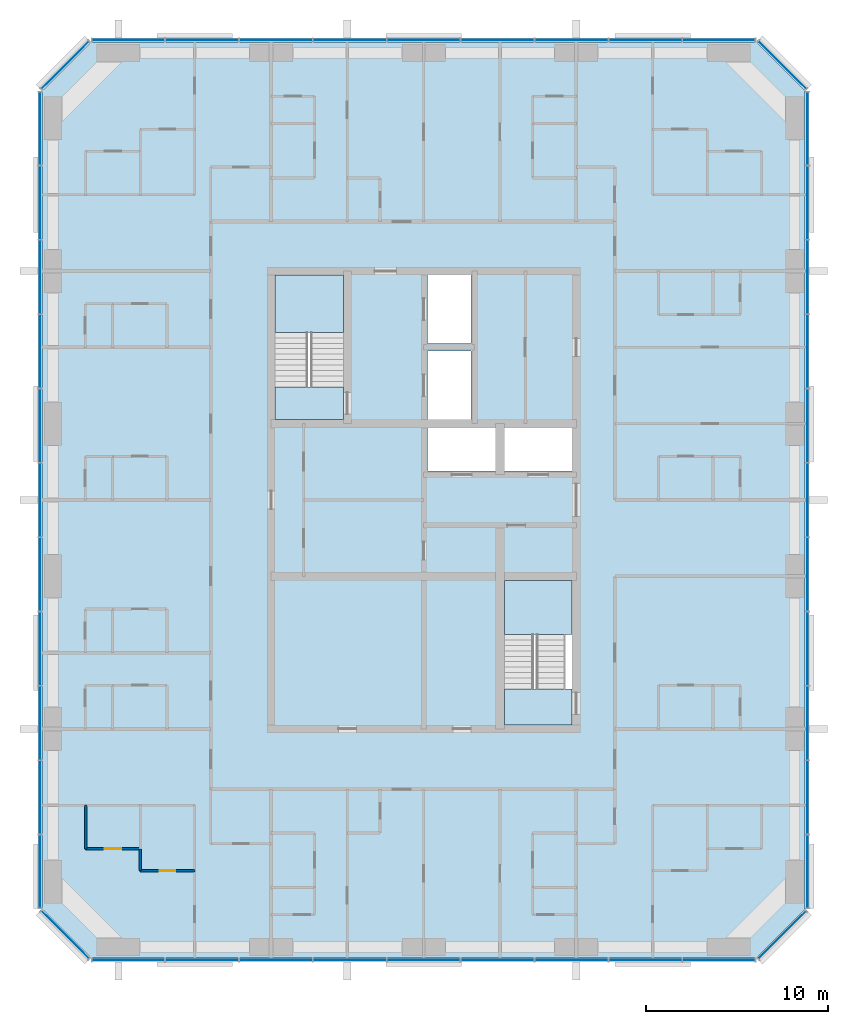
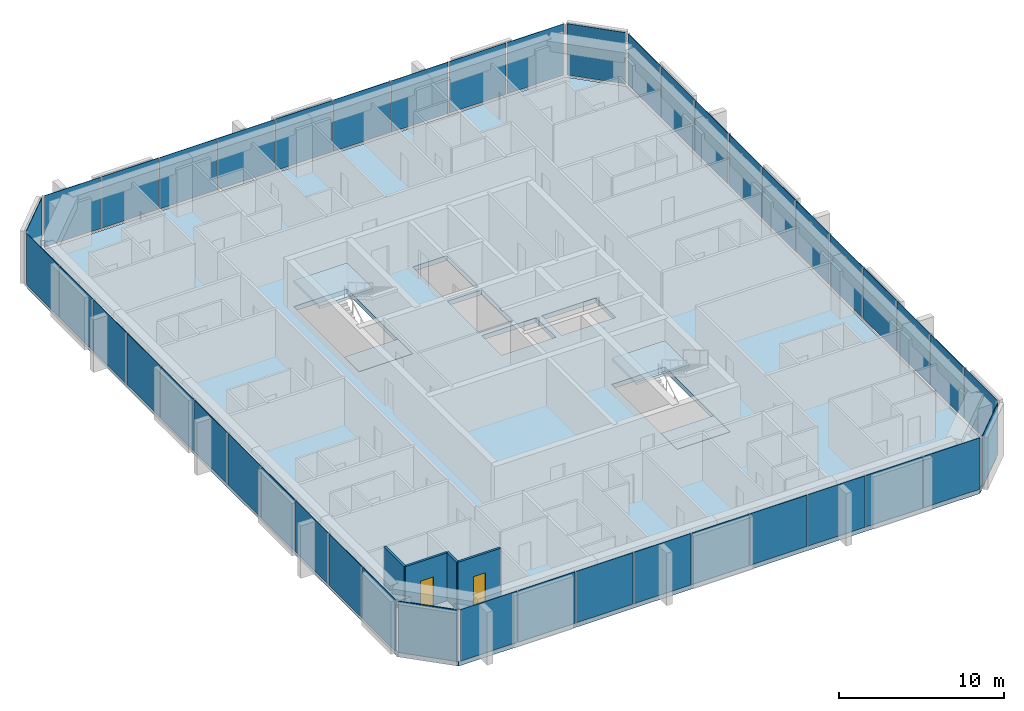
# One storey, part 6 of 13: 44 plates, 5 slabs, 4 walls, 2 doors, 2 openings, 10 elements without a shape of their own.
"""IFC4 building model written with IfcOpenShell, lengths in metres."""

from ifc_helpers import new_model, si_unit, direction, frame, frame_2d, origin, origin_2d, place, context, subcontext, project, spatial, polyline, rectangle, outline, extrude, material, layer, layer_set, type_object, element, fill, aggregate, save


model = new_model("IFC4")

# Units and contexts
model_context = context("Model", 3, precision=1e-05, world=origin(), true_north=direction((0.0, 1.0)))
body_context = subcontext(model_context, "Body", "Model", "MODEL_VIEW")
ifc_project = project(units=[si_unit("LENGTHUNIT", "METRE"), si_unit("AREAUNIT", "SQUARE_METRE"), si_unit("VOLUMEUNIT", "CUBIC_METRE"), si_unit("PLANEANGLEUNIT", "RADIAN"), si_unit("MASSUNIT", "GRAM", prefix="KILO")], contexts=[model_context])

# Site, building, storey
site_placement = place(None, origin())
site = spatial("IfcSite", under=ifc_project, at=site_placement, CompositionType="ELEMENT")
building_placement = place(site_placement, origin())
building = spatial("IfcBuilding", under=site, at=building_placement, Name="Dunama Terrace Hotel", CompositionType="ELEMENT")
storey_placement = place(building_placement, frame((0.0, 0.0, 276.300048828125)))
storey = spatial("IfcBuildingStorey", under=building, at=storey_placement, Name="L71", CompositionType="ELEMENT", Elevation=276.300048828125)

# Curtain wall, plates
ifc_material_1 = material(Name="Aluminium curtain wall system", Category="aluminium")
curtain_wall_type = type_object("IfcCurtainWallType", Name="Unitised fritted glass wall CW-D", PredefinedType="NOTDEFINED", material=ifc_material_1)
curtain_wall_1_placement = place(storey_placement, origin())
curtain_wall_1 = element("IfcCurtainWall", 1, at=curtain_wall_1_placement, inside=storey, type_object=curtain_wall_type, Name="Unitised fritted glass wall CW-D L71", PredefinedType="NOTDEFINED")
ifc_material_2 = material(Name="Laminated glass", Category="glass")
ifc_layer_1 = layer(ifc_material_2, 0.035888671875)
ifc_layer_set_1 = layer_set([ifc_layer_1], Name="CWD clear glass panel")
plate_type_1 = type_object("IfcPlateType", Name="CWD clear glass panel", PredefinedType="CURTAIN_PANEL", material=ifc_layer_set_1)
plate_1_placement = place(storey_placement, frame((25.467041015625, 4.080078125, 0.0849609375), z_axis=(0.0, 0.0, 1.0), x_axis=(1.0, 0.0, 0.0)))
plate_1 = element("IfcPlate", 2, at=plate_1_placement, type_object=plate_type_1, Name="CWD clear glass panel", PredefinedType="CURTAIN_PANEL", context=body_context, shape_type="SweptSolid", body=[
    extrude(rectangle(XDim=3.99658203125, YDim=0.035888671875, at=origin_2d()), origin(), (0.0, 0.0, 1.0), 3.81494140625),
])
plate_2_placement = place(storey_placement, frame((37.6669921875, 4.080078125, 0.0849609375), z_axis=(0.0, 0.0, 1.0), x_axis=(1.0, 0.0, 0.0)))
plate_2 = element("IfcPlate", 3, at=plate_2_placement, type_object=plate_type_1, Name="CWD clear glass panel", PredefinedType="CURTAIN_PANEL", context=body_context, shape_type="SweptSolid", body=[
    extrude(rectangle(XDim=3.99658203125, YDim=0.035888671875, at=origin_2d()), origin(), (0.0, 0.0, 1.0), 3.81494140625),
])
plate_3_placement = place(storey_placement, frame((49.84912109375, 4.080078125, 0.0849609375), z_axis=(0.0, 0.0, 1.0), x_axis=(1.0, 0.0, 0.0)))
plate_3 = element("IfcPlate", 4, at=plate_3_placement, type_object=plate_type_1, Name="CWD clear glass panel", PredefinedType="CURTAIN_PANEL", context=body_context, shape_type="SweptSolid", body=[
    extrude(rectangle(XDim=3.961669921875, YDim=0.035888671875, at=origin_2d()), origin(), (0.0, 0.0, 1.0), 3.81494140625),
])

curtain_wall_2_placement = place(storey_placement, origin())
curtain_wall_2 = element("IfcCurtainWall", 5, at=curtain_wall_2_placement, inside=storey, type_object=curtain_wall_type, Name="Unitised fritted glass wall CW-D L71", PredefinedType="NOTDEFINED")
plate_4_placement = place(storey_placement, frame((54.719970703125, 13.035888671875, 0.0849609375), z_axis=(0.0, 0.0, 1.0), x_axis=(0.0, 1.0, 0.0)))
plate_4 = element("IfcPlate", 6, at=plate_4_placement, type_object=plate_type_1, Name="CWD clear glass panel", PredefinedType="CURTAIN_PANEL", context=body_context, shape_type="SweptSolid", body=[
    extrude(rectangle(XDim=4.02099609375, YDim=0.035888671875, at=origin_2d()), origin(), (0.0, 0.0, 1.0), 3.81494140625),
])
plate_5_placement = place(storey_placement, frame((54.719970703125, 25.30908203125, 0.0849609375), z_axis=(0.0, 0.0, 1.0), x_axis=(0.0, 1.0, 0.0)))
plate_5 = element("IfcPlate", 7, at=plate_5_placement, type_object=plate_type_1, Name="CWD clear glass panel", PredefinedType="CURTAIN_PANEL", context=body_context, shape_type="SweptSolid", body=[
    extrude(rectangle(XDim=4.02099609375, YDim=0.035888671875, at=origin_2d()), origin(), (0.0, 0.0, 1.0), 3.81494140625),
])
plate_6_placement = place(storey_placement, frame((54.719970703125, 37.58203125, 0.0849609375), z_axis=(0.0, 0.0, 1.0), x_axis=(0.0, 1.0, 0.0)))
plate_6 = element("IfcPlate", 8, at=plate_6_placement, type_object=plate_type_1, Name="CWD clear glass panel", PredefinedType="CURTAIN_PANEL", context=body_context, shape_type="SweptSolid", body=[
    extrude(rectangle(XDim=4.02099609375, YDim=0.035888671875, at=origin_2d()), origin(), (0.0, 0.0, 1.0), 3.81494140625),
])
plate_7_placement = place(storey_placement, frame((54.719970703125, 49.8369140625, 0.0849609375), z_axis=(0.0, 0.0, 1.0), x_axis=(0.0, 1.0, 0.0)))
plate_7 = element("IfcPlate", 9, at=plate_7_placement, type_object=plate_type_1, Name="CWD clear glass panel", PredefinedType="CURTAIN_PANEL", context=body_context, shape_type="SweptSolid", body=[
    extrude(rectangle(XDim=3.98583984375, YDim=0.035888671875, at=origin_2d()), origin(), (0.0, 0.0, 1.0), 3.81494140625),
])

curtain_wall_3_placement = place(storey_placement, origin())
curtain_wall_3 = element("IfcCurtainWall", 10, at=curtain_wall_3_placement, inside=storey, type_object=curtain_wall_type, Name="Unitised fritted glass wall CW-D L71", PredefinedType="NOTDEFINED")
plate_8_placement = place(storey_placement, frame((45.800048828125, 54.719970703125, 0.0849609375), z_axis=(0.0, 0.0, 1.0), x_axis=(-1.0, 0.0, 0.0)))
plate_8 = element("IfcPlate", 11, at=plate_8_placement, type_object=plate_type_1, Name="CWD clear glass panel", PredefinedType="CURTAIN_PANEL", context=body_context, shape_type="SweptSolid", body=[
    extrude(rectangle(XDim=3.99658203125, YDim=0.035888671875, at=origin_2d()), origin(), (0.0, 0.0, 1.0), 3.81494140625),
])
plate_9_placement = place(storey_placement, frame((33.60009765625, 54.719970703125, 0.0849609375), z_axis=(0.0, 0.0, 1.0), x_axis=(-1.0, 0.0, 0.0)))
plate_9 = element("IfcPlate", 12, at=plate_9_placement, type_object=plate_type_1, Name="CWD clear glass panel", PredefinedType="CURTAIN_PANEL", context=body_context, shape_type="SweptSolid", body=[
    extrude(rectangle(XDim=3.99658203125, YDim=0.035888671875, at=origin_2d()), origin(), (0.0, 0.0, 1.0), 3.81494140625),
])
plate_10_placement = place(storey_placement, frame((21.39990234375, 54.719970703125, 0.0849609375), z_axis=(0.0, 0.0, 1.0), x_axis=(-1.0, 0.0, 0.0)))
plate_10 = element("IfcPlate", 13, at=plate_10_placement, type_object=plate_type_1, Name="CWD clear glass panel", PredefinedType="CURTAIN_PANEL", context=body_context, shape_type="SweptSolid", body=[
    extrude(rectangle(XDim=3.99658203125, YDim=0.035888671875, at=origin_2d()), origin(), (0.0, 0.0, 1.0), 3.81494140625),
])

curtain_wall_4_placement = place(storey_placement, origin())
curtain_wall_4 = element("IfcCurtainWall", 14, at=curtain_wall_4_placement, inside=storey, type_object=curtain_wall_type, Name="Unitised fritted glass wall CW-D L71", PredefinedType="NOTDEFINED")
plate_11_placement = place(storey_placement, frame((12.47998046875, 49.8369140625, 0.0849609375), z_axis=(0.0, 0.0, 1.0), x_axis=(0.0, -1.0, 0.0)))
plate_11 = element("IfcPlate", 15, at=plate_11_placement, type_object=plate_type_1, Name="CWD clear glass panel", PredefinedType="CURTAIN_PANEL", context=body_context, shape_type="SweptSolid", body=[
    extrude(rectangle(XDim=3.98583984375, YDim=0.035888671875, at=origin_2d()), origin(), (0.0, 0.0, 1.0), 3.81494140625),
])
plate_12_placement = place(storey_placement, frame((12.47998046875, 37.58203125, 0.0849609375), z_axis=(0.0, 0.0, 1.0), x_axis=(0.0, -1.0, 0.0)))
plate_12 = element("IfcPlate", 16, at=plate_12_placement, type_object=plate_type_1, Name="CWD clear glass panel", PredefinedType="CURTAIN_PANEL", context=body_context, shape_type="SweptSolid", body=[
    extrude(rectangle(XDim=4.02099609375, YDim=0.035888671875, at=origin_2d()), origin(), (0.0, 0.0, 1.0), 3.81494140625),
])
plate_13_placement = place(storey_placement, frame((12.47998046875, 25.30908203125, 0.0849609375), z_axis=(0.0, 0.0, 1.0), x_axis=(0.0, -1.0, 0.0)))
plate_13 = element("IfcPlate", 17, at=plate_13_placement, type_object=plate_type_1, Name="CWD clear glass panel", PredefinedType="CURTAIN_PANEL", context=body_context, shape_type="SweptSolid", body=[
    extrude(rectangle(XDim=4.02099609375, YDim=0.035888671875, at=origin_2d()), origin(), (0.0, 0.0, 1.0), 3.81494140625),
])
plate_14_placement = place(storey_placement, frame((12.47998046875, 13.035888671875, 0.0849609375), z_axis=(0.0, 0.0, 1.0), x_axis=(0.0, -1.0, 0.0)))
plate_14 = element("IfcPlate", 18, at=plate_14_placement, type_object=plate_type_1, Name="CWD clear glass panel", PredefinedType="CURTAIN_PANEL", context=body_context, shape_type="SweptSolid", body=[
    extrude(rectangle(XDim=4.02099609375, YDim=0.035888671875, at=origin_2d()), origin(), (0.0, 0.0, 1.0), 3.81494140625),
])

# Plate
ifc_material_3 = material(Name="Fritted laminated glass", Category="glass")
ifc_layer_2 = layer(ifc_material_3, 0.035888671875)
ifc_layer_set_2 = layer_set([ifc_layer_2], Name="CWD fritted glass panel")
plate_type_2 = type_object("IfcPlateType", Name="CWD fritted glass panel", PredefinedType="CURTAIN_PANEL", material=ifc_layer_set_2)
plate_15_placement = place(storey_placement, frame((21.39990234375, 4.080078125, 0.0849609375), z_axis=(0.0, 0.0, 1.0), x_axis=(1.0, 0.0, 0.0)))
plate_15 = element("IfcPlate", 19, at=plate_15_placement, type_object=plate_type_2, Name="CWD fritted glass panel", PredefinedType="CURTAIN_PANEL", context=body_context, shape_type="SweptSolid", body=[
    extrude(rectangle(XDim=3.99658203125, YDim=0.035888671875, at=origin_2d()), origin(), (0.0, 0.0, 1.0), 3.81494140625),
])

plate_16_placement = place(storey_placement, frame((33.60009765625, 4.080078125, 0.0849609375), z_axis=(0.0, 0.0, 1.0), x_axis=(1.0, 0.0, 0.0)))
plate_16 = element("IfcPlate", 20, at=plate_16_placement, type_object=plate_type_2, Name="CWD fritted glass panel", PredefinedType="CURTAIN_PANEL", context=body_context, shape_type="SweptSolid", body=[
    extrude(rectangle(XDim=3.99658203125, YDim=0.035888671875, at=origin_2d()), origin(), (0.0, 0.0, 1.0), 3.81494140625),
])

plate_17_placement = place(storey_placement, frame((45.800048828125, 4.080078125, 0.0849609375), z_axis=(0.0, 0.0, 1.0), x_axis=(1.0, 0.0, 0.0)))
plate_17 = element("IfcPlate", 21, at=plate_17_placement, type_object=plate_type_2, Name="CWD fritted glass panel", PredefinedType="CURTAIN_PANEL", context=body_context, shape_type="SweptSolid", body=[
    extrude(rectangle(XDim=3.99658203125, YDim=0.035888671875, at=origin_2d()), origin(), (0.0, 0.0, 1.0), 3.81494140625),
])

plate_18_placement = place(storey_placement, frame((54.719970703125, 8.962890625, 0.0849609375), z_axis=(0.0, 0.0, 1.0), x_axis=(0.0, 1.0, 0.0)))
plate_18 = element("IfcPlate", 22, at=plate_18_placement, type_object=plate_type_2, Name="CWD fritted glass panel", PredefinedType="CURTAIN_PANEL", context=body_context, shape_type="SweptSolid", body=[
    extrude(rectangle(XDim=3.98583984375, YDim=0.035888671875, at=origin_2d()), origin(), (0.0, 0.0, 1.0), 3.81494140625),
])

plate_19_placement = place(storey_placement, frame((54.719970703125, 21.218017578125, 0.0849609375), z_axis=(0.0, 0.0, 1.0), x_axis=(0.0, 1.0, 0.0)))
plate_19 = element("IfcPlate", 23, at=plate_19_placement, type_object=plate_type_2, Name="CWD fritted glass panel", PredefinedType="CURTAIN_PANEL", context=body_context, shape_type="SweptSolid", body=[
    extrude(rectangle(XDim=4.02099609375, YDim=0.035888671875, at=origin_2d()), origin(), (0.0, 0.0, 1.0), 3.81494140625),
])

plate_20_placement = place(storey_placement, frame((54.719970703125, 33.490966796875, 0.0849609375), z_axis=(0.0, 0.0, 1.0), x_axis=(0.0, 1.0, 0.0)))
plate_20 = element("IfcPlate", 24, at=plate_20_placement, type_object=plate_type_2, Name="CWD fritted glass panel", PredefinedType="CURTAIN_PANEL", context=body_context, shape_type="SweptSolid", body=[
    extrude(rectangle(XDim=4.02099609375, YDim=0.035888671875, at=origin_2d()), origin(), (0.0, 0.0, 1.0), 3.81494140625),
])

plate_21_placement = place(storey_placement, frame((54.719970703125, 45.763916015625, 0.0849609375), z_axis=(0.0, 0.0, 1.0), x_axis=(0.0, 1.0, 0.0)))
plate_21 = element("IfcPlate", 25, at=plate_21_placement, type_object=plate_type_2, Name="CWD fritted glass panel", PredefinedType="CURTAIN_PANEL", context=body_context, shape_type="SweptSolid", body=[
    extrude(rectangle(XDim=4.02099609375, YDim=0.035888671875, at=origin_2d()), origin(), (0.0, 0.0, 1.0), 3.81494140625),
])

plate_22_placement = place(storey_placement, frame((49.84912109375, 54.719970703125, 0.0849609375), z_axis=(0.0, 0.0, 1.0), x_axis=(-1.0, 0.0, 0.0)))
plate_22 = element("IfcPlate", 26, at=plate_22_placement, type_object=plate_type_2, Name="CWD fritted glass panel", PredefinedType="CURTAIN_PANEL", context=body_context, shape_type="SweptSolid", body=[
    extrude(rectangle(XDim=3.961669921875, YDim=0.035888671875, at=origin_2d()), origin(), (0.0, 0.0, 1.0), 3.81494140625),
])

plate_23_placement = place(storey_placement, frame((37.6669921875, 54.719970703125, 0.0849609375), z_axis=(0.0, 0.0, 1.0), x_axis=(-1.0, 0.0, 0.0)))
plate_23 = element("IfcPlate", 27, at=plate_23_placement, type_object=plate_type_2, Name="CWD fritted glass panel", PredefinedType="CURTAIN_PANEL", context=body_context, shape_type="SweptSolid", body=[
    extrude(rectangle(XDim=3.99658203125, YDim=0.035888671875, at=origin_2d()), origin(), (0.0, 0.0, 1.0), 3.81494140625),
])

plate_24_placement = place(storey_placement, frame((25.467041015625, 54.719970703125, 0.0849609375), z_axis=(0.0, 0.0, 1.0), x_axis=(-1.0, 0.0, 0.0)))
plate_24 = element("IfcPlate", 28, at=plate_24_placement, type_object=plate_type_2, Name="CWD fritted glass panel", PredefinedType="CURTAIN_PANEL", context=body_context, shape_type="SweptSolid", body=[
    extrude(rectangle(XDim=3.99658203125, YDim=0.035888671875, at=origin_2d()), origin(), (0.0, 0.0, 1.0), 3.81494140625),
])

# Curtain wall, plate
curtain_wall_5_placement = place(storey_placement, origin())
curtain_wall_5 = element("IfcCurtainWall", 29, at=curtain_wall_5_placement, inside=storey, type_object=curtain_wall_type, Name="Unitised fritted glass wall CW-D L71", PredefinedType="NOTDEFINED")
plate_25_placement = place(storey_placement, frame((13.864990234375, 53.3349609375, 0.0849609375), z_axis=(0.0, 0.0, 1.0), x_axis=(-0.707106781187, -0.707106781187, 0.0)))
plate_25 = element("IfcPlate", 30, at=plate_25_placement, type_object=plate_type_2, Name="CWD fritted glass panel", PredefinedType="CURTAIN_PANEL", context=body_context, shape_type="SweptSolid", body=[
    extrude(rectangle(XDim=3.678466796875, YDim=0.035888671875, at=origin_2d()), origin(), (0.0, 0.0, 1.0), 3.81494140625),
])
aggregate(curtain_wall_5, [plate_25])

# Plate
plate_26_placement = place(storey_placement, frame((12.47998046875, 41.673095703125, 0.0849609375), z_axis=(0.0, 0.0, 1.0), x_axis=(0.0, -1.0, 0.0)))
plate_26 = element("IfcPlate", 31, at=plate_26_placement, type_object=plate_type_2, Name="CWD fritted glass panel", PredefinedType="CURTAIN_PANEL", context=body_context, shape_type="SweptSolid", body=[
    extrude(rectangle(XDim=4.02099609375, YDim=0.035888671875, at=origin_2d()), origin(), (0.0, 0.0, 1.0), 3.81494140625),
])

plate_27_placement = place(storey_placement, frame((12.47998046875, 29.39990234375, 0.0849609375), z_axis=(0.0, 0.0, 1.0), x_axis=(0.0, -1.0, 0.0)))
plate_27 = element("IfcPlate", 32, at=plate_27_placement, type_object=plate_type_2, Name="CWD fritted glass panel", PredefinedType="CURTAIN_PANEL", context=body_context, shape_type="SweptSolid", body=[
    extrude(rectangle(XDim=4.02099609375, YDim=0.035888671875, at=origin_2d()), origin(), (0.0, 0.0, 1.0), 3.81494140625),
])

plate_28_placement = place(storey_placement, frame((12.47998046875, 17.126953125, 0.0849609375), z_axis=(0.0, 0.0, 1.0), x_axis=(0.0, -1.0, 0.0)))
plate_28 = element("IfcPlate", 33, at=plate_28_placement, type_object=plate_type_2, Name="CWD fritted glass panel", PredefinedType="CURTAIN_PANEL", context=body_context, shape_type="SweptSolid", body=[
    extrude(rectangle(XDim=4.02099609375, YDim=0.035888671875, at=origin_2d()), origin(), (0.0, 0.0, 1.0), 3.81494140625),
])

# Curtain wall, plate
curtain_wall_6_placement = place(storey_placement, origin())
curtain_wall_6 = element("IfcCurtainWall", 34, at=curtain_wall_6_placement, inside=storey, type_object=curtain_wall_type, Name="Unitised fritted glass wall CW-D L71", PredefinedType="NOTDEFINED")
plate_29_placement = place(storey_placement, frame((13.864990234375, 5.465087890625, 0.0849609375), z_axis=(0.0, 0.0, 1.0), x_axis=(0.707106781187, -0.707106781187, 0.0)))
plate_29 = element("IfcPlate", 35, at=plate_29_placement, type_object=plate_type_2, Name="CWD fritted glass panel", PredefinedType="CURTAIN_PANEL", context=body_context, shape_type="SweptSolid", body=[
    extrude(rectangle(XDim=3.678466796875, YDim=0.035888671875, at=origin_2d()), origin(), (0.0, 0.0, 1.0), 3.81494140625),
])
aggregate(curtain_wall_6, [plate_29])

# Plate
ifc_material_4 = material(Name="Laminated glass", Category="glass")
ifc_layer_3 = layer(ifc_material_4, 0.035888671875)
ifc_layer_set_3 = layer_set([ifc_layer_3], Name="CWD operable glass panel")
plate_type_3 = type_object("IfcPlateType", Name="CWD operable glass panel", PredefinedType="CURTAIN_PANEL", material=ifc_layer_set_3)
plate_30_placement = place(storey_placement, frame((17.35107421875, 4.080078125, 0.0849609375), z_axis=(0.0, 0.0, 1.0), x_axis=(1.0, 0.0, 0.0)))
plate_30 = element("IfcPlate", 36, at=plate_30_placement, type_object=plate_type_3, Name="CWD operable glass panel", PredefinedType="CURTAIN_PANEL", context=body_context, shape_type="SweptSolid", body=[
    extrude(rectangle(XDim=3.961669921875, YDim=0.035888671875, at=origin_2d()), origin(), (0.0, 0.0, 1.0), 3.81494140625),
])

plate_31_placement = place(storey_placement, frame((29.532958984375, 4.080078125, 0.0849609375), z_axis=(0.0, 0.0, 1.0), x_axis=(1.0, 0.0, 0.0)))
plate_31 = element("IfcPlate", 37, at=plate_31_placement, type_object=plate_type_3, Name="CWD operable glass panel", PredefinedType="CURTAIN_PANEL", context=body_context, shape_type="SweptSolid", body=[
    extrude(rectangle(XDim=3.99658203125, YDim=0.035888671875, at=origin_2d()), origin(), (0.0, 0.0, 1.0), 3.81494140625),
])

plate_32_placement = place(storey_placement, frame((41.73291015625, 4.080078125, 0.0849609375), z_axis=(0.0, 0.0, 1.0), x_axis=(1.0, 0.0, 0.0)))
plate_32 = element("IfcPlate", 38, at=plate_32_placement, type_object=plate_type_3, Name="CWD operable glass panel", PredefinedType="CURTAIN_PANEL", context=body_context, shape_type="SweptSolid", body=[
    extrude(rectangle(XDim=3.99658203125, YDim=0.035888671875, at=origin_2d()), origin(), (0.0, 0.0, 1.0), 3.81494140625),
])

aggregate(curtain_wall_1, [plate_30, plate_15, plate_1, plate_31, plate_16, plate_2, plate_32, plate_17, plate_3])

# Curtain wall, plate
curtain_wall_7_placement = place(storey_placement, origin())
curtain_wall_7 = element("IfcCurtainWall", 39, at=curtain_wall_7_placement, inside=storey, type_object=curtain_wall_type, Name="Unitised fritted glass wall CW-D L71", PredefinedType="NOTDEFINED")
plate_33_placement = place(storey_placement, frame((53.3349609375, 5.465087890625, 0.0849609375), z_axis=(0.0, 0.0, 1.0), x_axis=(0.707106781187, 0.707106781187, 0.0)))
plate_33 = element("IfcPlate", 40, at=plate_33_placement, type_object=plate_type_3, Name="CWD operable glass panel", PredefinedType="CURTAIN_PANEL", context=body_context, shape_type="SweptSolid", body=[
    extrude(rectangle(XDim=3.678466796875, YDim=0.035888671875, at=origin_2d()), origin(), (0.0, 0.0, 1.0), 3.81494140625),
])
aggregate(curtain_wall_7, [plate_33])

# Plate
plate_34_placement = place(storey_placement, frame((54.719970703125, 17.126953125, 0.0849609375), z_axis=(0.0, 0.0, 1.0), x_axis=(0.0, 1.0, 0.0)))
plate_34 = element("IfcPlate", 41, at=plate_34_placement, type_object=plate_type_3, Name="CWD operable glass panel", PredefinedType="CURTAIN_PANEL", context=body_context, shape_type="SweptSolid", body=[
    extrude(rectangle(XDim=4.02099609375, YDim=0.035888671875, at=origin_2d()), origin(), (0.0, 0.0, 1.0), 3.81494140625),
])

plate_35_placement = place(storey_placement, frame((54.719970703125, 29.39990234375, 0.0849609375), z_axis=(0.0, 0.0, 1.0), x_axis=(0.0, 1.0, 0.0)))
plate_35 = element("IfcPlate", 42, at=plate_35_placement, type_object=plate_type_3, Name="CWD operable glass panel", PredefinedType="CURTAIN_PANEL", context=body_context, shape_type="SweptSolid", body=[
    extrude(rectangle(XDim=4.02099609375, YDim=0.035888671875, at=origin_2d()), origin(), (0.0, 0.0, 1.0), 3.81494140625),
])

plate_36_placement = place(storey_placement, frame((54.719970703125, 41.673095703125, 0.0849609375), z_axis=(0.0, 0.0, 1.0), x_axis=(0.0, 1.0, 0.0)))
plate_36 = element("IfcPlate", 43, at=plate_36_placement, type_object=plate_type_3, Name="CWD operable glass panel", PredefinedType="CURTAIN_PANEL", context=body_context, shape_type="SweptSolid", body=[
    extrude(rectangle(XDim=4.02099609375, YDim=0.035888671875, at=origin_2d()), origin(), (0.0, 0.0, 1.0), 3.81494140625),
])

aggregate(curtain_wall_2, [plate_18, plate_4, plate_34, plate_19, plate_5, plate_35, plate_20, plate_6, plate_36, plate_21, plate_7])

# Curtain wall, plate
curtain_wall_8_placement = place(storey_placement, origin())
curtain_wall_8 = element("IfcCurtainWall", 44, at=curtain_wall_8_placement, inside=storey, type_object=curtain_wall_type, Name="Unitised fritted glass wall CW-D L71", PredefinedType="NOTDEFINED")
plate_37_placement = place(storey_placement, frame((53.3349609375, 53.3349609375, 0.0849609375), z_axis=(0.0, 0.0, 1.0), x_axis=(-0.707106781187, 0.707106781187, 0.0)))
plate_37 = element("IfcPlate", 45, at=plate_37_placement, type_object=plate_type_3, Name="CWD operable glass panel", PredefinedType="CURTAIN_PANEL", context=body_context, shape_type="SweptSolid", body=[
    extrude(rectangle(XDim=3.678466796875, YDim=0.035888671875, at=origin_2d()), origin(), (0.0, 0.0, 1.0), 3.81494140625),
])
aggregate(curtain_wall_8, [plate_37])

# Plate
plate_38_placement = place(storey_placement, frame((41.73291015625, 54.719970703125, 0.0849609375), z_axis=(0.0, 0.0, 1.0), x_axis=(-1.0, 0.0, 0.0)))
plate_38 = element("IfcPlate", 46, at=plate_38_placement, type_object=plate_type_3, Name="CWD operable glass panel", PredefinedType="CURTAIN_PANEL", context=body_context, shape_type="SweptSolid", body=[
    extrude(rectangle(XDim=3.99658203125, YDim=0.035888671875, at=origin_2d()), origin(), (0.0, 0.0, 1.0), 3.81494140625),
])

plate_39_placement = place(storey_placement, frame((29.532958984375, 54.719970703125, 0.0849609375), z_axis=(0.0, 0.0, 1.0), x_axis=(-1.0, 0.0, 0.0)))
plate_39 = element("IfcPlate", 47, at=plate_39_placement, type_object=plate_type_3, Name="CWD operable glass panel", PredefinedType="CURTAIN_PANEL", context=body_context, shape_type="SweptSolid", body=[
    extrude(rectangle(XDim=3.99658203125, YDim=0.035888671875, at=origin_2d()), origin(), (0.0, 0.0, 1.0), 3.81494140625),
])

plate_40_placement = place(storey_placement, frame((17.35107421875, 54.719970703125, 0.0849609375), z_axis=(0.0, 0.0, 1.0), x_axis=(-1.0, 0.0, 0.0)))
plate_40 = element("IfcPlate", 48, at=plate_40_placement, type_object=plate_type_3, Name="CWD operable glass panel", PredefinedType="CURTAIN_PANEL", context=body_context, shape_type="SweptSolid", body=[
    extrude(rectangle(XDim=3.961669921875, YDim=0.035888671875, at=origin_2d()), origin(), (0.0, 0.0, 1.0), 3.81494140625),
])

aggregate(curtain_wall_3, [plate_22, plate_8, plate_38, plate_23, plate_9, plate_39, plate_24, plate_10, plate_40])

plate_41_placement = place(storey_placement, frame((12.47998046875, 45.763916015625, 0.0849609375), z_axis=(0.0, 0.0, 1.0), x_axis=(0.0, -1.0, 0.0)))
plate_41 = element("IfcPlate", 49, at=plate_41_placement, type_object=plate_type_3, Name="CWD operable glass panel", PredefinedType="CURTAIN_PANEL", context=body_context, shape_type="SweptSolid", body=[
    extrude(rectangle(XDim=4.02099609375, YDim=0.035888671875, at=origin_2d()), origin(), (0.0, 0.0, 1.0), 3.81494140625),
])

plate_42_placement = place(storey_placement, frame((12.47998046875, 33.490966796875, 0.0849609375), z_axis=(0.0, 0.0, 1.0), x_axis=(0.0, -1.0, 0.0)))
plate_42 = element("IfcPlate", 50, at=plate_42_placement, type_object=plate_type_3, Name="CWD operable glass panel", PredefinedType="CURTAIN_PANEL", context=body_context, shape_type="SweptSolid", body=[
    extrude(rectangle(XDim=4.02099609375, YDim=0.035888671875, at=origin_2d()), origin(), (0.0, 0.0, 1.0), 3.81494140625),
])

plate_43_placement = place(storey_placement, frame((12.47998046875, 21.218017578125, 0.0849609375), z_axis=(0.0, 0.0, 1.0), x_axis=(0.0, -1.0, 0.0)))
plate_43 = element("IfcPlate", 51, at=plate_43_placement, type_object=plate_type_3, Name="CWD operable glass panel", PredefinedType="CURTAIN_PANEL", context=body_context, shape_type="SweptSolid", body=[
    extrude(rectangle(XDim=4.02099609375, YDim=0.035888671875, at=origin_2d()), origin(), (0.0, 0.0, 1.0), 3.81494140625),
])

plate_44_placement = place(storey_placement, frame((12.47998046875, 8.962890625, 0.0849609375), z_axis=(0.0, 0.0, 1.0), x_axis=(0.0, -1.0, 0.0)))
plate_44 = element("IfcPlate", 52, at=plate_44_placement, type_object=plate_type_3, Name="CWD operable glass panel", PredefinedType="CURTAIN_PANEL", context=body_context, shape_type="SweptSolid", body=[
    extrude(rectangle(XDim=3.98583984375, YDim=0.035888671875, at=origin_2d()), origin(), (0.0, 0.0, 1.0), 3.81494140625),
])

aggregate(curtain_wall_4, [plate_11, plate_41, plate_26, plate_12, plate_42, plate_27, plate_13, plate_43, plate_28, plate_14, plate_44])

# Slab
ifc_material_5 = material(Name="Concrete C40/50", Category="concrete")
ifc_layer_4 = layer(ifc_material_5, 0.35009765625)
ifc_layer_set_4 = layer_set([ifc_layer_4], Name="Flat plate 350")
slab_type_1 = type_object("IfcSlabType", Name="Flat plate 350", PredefinedType="FLOOR", material=ifc_layer_set_4)
slab_1_placement = place(storey_placement, frame((0.0, 0.0, -0.35009765625)))
element("IfcSlab", 53, at=slab_1_placement, inside=storey, type_object=slab_type_1, Name="Floor slab L71", PredefinedType="FLOOR", context=body_context, shape_type="SweptSolid", body=[
    extrude(outline(polyline([(15.300048828125, 4.199951171875), (51.89990234375, 4.199951171875), (54.60009765625, 6.89990234375), (54.60009765625, 51.89990234375), (51.89990234375, 54.60009765625), (15.300048828125, 54.60009765625), (12.60009765625, 51.89990234375), (12.60009765625, 6.89990234375), (15.300048828125, 4.199951171875)]), holes=[polyline([(37.60009765625, 31.0), (37.60009765625, 33.39990234375), (33.800048828125, 33.39990234375), (33.800048828125, 31.0), (37.60009765625, 31.0)]), polyline([(41.800048828125, 31.0), (41.800048828125, 33.39990234375), (38.0, 33.39990234375), (38.0, 31.0), (41.800048828125, 31.0)]), polyline([(36.199951171875, 38.0), (36.199951171875, 41.800048828125), (33.800048828125, 41.800048828125), (33.800048828125, 38.0), (36.199951171875, 38.0)]), polyline([(36.199951171875, 33.800048828125), (36.199951171875, 37.60009765625), (33.800048828125, 37.60009765625), (33.800048828125, 33.800048828125), (36.199951171875, 33.800048828125)]), polyline([(29.175048828125, 33.824951171875), (29.175048828125, 41.77490234375), (25.425048828125, 41.77490234375), (25.425048828125, 33.824951171875), (29.175048828125, 33.824951171875)]), polyline([(41.77490234375, 17.02490234375), (41.77490234375, 24.97509765625), (38.050048828125, 24.97509765625), (38.050048828125, 17.02490234375), (41.77490234375, 17.02490234375)])]), origin(), (0.0, 0.0, 1.0), 0.35009765625),
])

# Stair, slabs
ifc_material_6 = material(Name="Concrete C40/50", Category="concrete")
stair_type_1 = type_object("IfcStairType", Name="Stair ST1-3900-1800", PredefinedType="HALF_TURN_STAIR", material=ifc_material_6)
stair_1_placement = place(storey_placement, origin())
stair_1 = element("IfcStair", 54, at=stair_1_placement, inside=storey, type_object=stair_type_1, Name="Stair ST1 L71", PredefinedType="HALF_TURN_STAIR")
ifc_material_7 = material(Name="Concrete C40/50", Category="concrete")
ifc_layer_5 = layer(ifc_material_7, 0.199951171875)
ifc_layer_set_5 = layer_set([ifc_layer_5], Name="Stair landing 200")
slab_type_2 = type_object("IfcSlabType", Name="Stair landing 200", PredefinedType="LANDING", material=ifc_layer_set_5)
slab_2_placement = place(storey_placement, frame((0.0, 0.0, -0.199951171875)))
slab_2 = element("IfcSlab", 55, at=slab_2_placement, type_object=slab_type_2, Name="ST1 landing 1, type S10", PredefinedType="LANDING", context=body_context, shape_type="SweptSolid", body=[
    extrude(outline(polyline([(25.425048828125, 33.824951171875), (29.175048828125, 33.824951171875), (29.175048828125, 35.625), (25.425048828125, 35.625), (25.425048828125, 33.824951171875)])), origin(), (0.0, 0.0, 1.0), 0.199951171875),
])
slab_3_placement = place(storey_placement, frame((0.0, 0.0, 1.75)))
slab_3 = element("IfcSlab", 56, at=slab_3_placement, type_object=slab_type_2, Name="ST1 landing 2, type S10", PredefinedType="LANDING", context=body_context, shape_type="SweptSolid", body=[
    extrude(outline(polyline([(25.425048828125, 38.625), (29.175048828125, 38.625), (29.175048828125, 41.77490234375), (25.425048828125, 41.77490234375), (25.425048828125, 38.625)])), origin(), (0.0, 0.0, 1.0), 0.199951171875),
])
aggregate(stair_1, [slab_2, slab_3])

ifc_material_8 = material(Name="Concrete C40/50", Category="concrete")
stair_type_2 = type_object("IfcStairType", Name="Stair ST2-3900-1600", PredefinedType="HALF_TURN_STAIR", material=ifc_material_8)
stair_2_placement = place(storey_placement, origin())
stair_2 = element("IfcStair", 57, at=stair_2_placement, inside=storey, type_object=stair_type_2, Name="Stair ST2 L71", PredefinedType="HALF_TURN_STAIR")
slab_4_placement = place(storey_placement, frame((0.0, 0.0, -0.199951171875)))
slab_4 = element("IfcSlab", 58, at=slab_4_placement, type_object=slab_type_2, Name="ST2 landing 1, type S10", PredefinedType="LANDING", context=body_context, shape_type="SweptSolid", body=[
    extrude(outline(polyline([(38.050048828125, 17.02490234375), (41.77490234375, 17.02490234375), (41.77490234375, 19.0), (38.050048828125, 19.0), (38.050048828125, 17.02490234375)])), origin(), (0.0, 0.0, 1.0), 0.199951171875),
])
slab_5_placement = place(storey_placement, frame((0.0, 0.0, 1.75)))
slab_5 = element("IfcSlab", 59, at=slab_5_placement, type_object=slab_type_2, Name="ST2 landing 2, type S10", PredefinedType="LANDING", context=body_context, shape_type="SweptSolid", body=[
    extrude(outline(polyline([(38.050048828125, 22.0), (41.77490234375, 22.0), (41.77490234375, 24.97509765625), (38.050048828125, 24.97509765625), (38.050048828125, 22.0)])), origin(), (0.0, 0.0, 1.0), 0.199951171875),
])
aggregate(stair_2, [slab_4, slab_5])

# Wall
ifc_material_9 = material(Name="Gypsum board partition", Category="masonry")
ifc_layer_6 = layer(ifc_material_9, 0.14990234375)
ifc_layer_set_6 = layer_set([ifc_layer_6], Name="Bathroom partition 150")
wall_type_1 = type_object("IfcWallType", Name="Bathroom partition 150", PredefinedType="PARTITIONING", material=ifc_layer_set_6)
wall_1_placement = place(storey_placement, frame((18.0, 9.0, 0.0), z_axis=(0.0, 0.0, 1.0), x_axis=(0.0, 1.0, 0.0)))
element("IfcWall", 60, at=wall_1_placement, inside=storey, type_object=wall_type_1, Name="Bathroom partition 150 L71", PredefinedType="PARTITIONING", context=body_context, shape_type="SweptSolid", body=[
    extrude(rectangle(XDim=1.199951171875, YDim=0.14990234375, at=frame_2d((0.60009765625, 0.0))), origin(), (0.0, 0.0, 1.0), 3.550048828125),
])

# Wall, opening, door
wall_2_placement = place(storey_placement, frame((18.0, 9.0, 0.0), z_axis=(0.0, 0.0, 1.0), x_axis=(1.0, 0.0, 0.0)))
wall_2 = element("IfcWall", 61, at=wall_2_placement, inside=storey, type_object=wall_type_1, Name="Bathroom partition 150 L71", PredefinedType="PARTITIONING", context=body_context, shape_type="SweptSolid", body=[
    extrude(rectangle(XDim=3.0, YDim=0.14990234375, at=frame_2d((1.5, 0.0))), origin(), (0.0, 0.0, 1.0), 3.550048828125),
])
opening_1_placement = place(wall_2_placement, frame((1.074951171875, 0.0, 0.0)))
opening_1 = element("IfcOpeningElement", 62, at=opening_1_placement, cuts=wall_2, Name="Opening L71-72-050", PredefinedType="OPENING", context=body_context, shape_type="SweptSolid", body=[
    extrude(rectangle(XDim=0.85009765625, YDim=2.10009765625, at=frame_2d((0.425048828125, 1.050048828125))), frame((0.0, 0.0849609375, 0.0), z_axis=(0.0, -1.0, 0.0), x_axis=(1.0, 0.0, 0.0)), (0.0, 0.0, 1.0), 0.169921875),
])
ifc_material_10 = material(Name="Timber door with steel frame", Category="steel")
door_type_1 = type_object("IfcDoorType", Name="Bathroom door 850", OperationType="SINGLE_SWING_LEFT", PredefinedType="DOOR", material=ifc_material_10)
door_1_placement = place(opening_1_placement, origin())
door_1 = element("IfcDoor", 63, at=door_1_placement, inside=storey, type_object=door_type_1, Name="Door to en-suite bathroom L71-72-050, type D2", OperationType="SINGLE_SWING_LEFT", OverallHeight=2.10009765625, OverallWidth=0.85009765625, PredefinedType="DOOR", context=body_context, shape_type="SweptSolid", body=[
    extrude(rectangle(XDim=0.85009765625, YDim=2.10009765625, at=frame_2d((0.425048828125, 1.050048828125))), frame((0.0, 0.02490234375, 0.0), z_axis=(0.0, -1.0, 0.0), x_axis=(1.0, 0.0, 0.0)), (0.0, 0.0, 1.0), 0.050048828125),
])
fill(opening_1, door_1)

# Wall
ifc_material_11 = material(Name="Gypsum board partition", Category="masonry")
ifc_layer_7 = layer(ifc_material_11, 0.14990234375)
ifc_layer_set_7 = layer_set([ifc_layer_7], Name="Room partition 150")
wall_type_2 = type_object("IfcWallType", Name="Room partition 150", PredefinedType="PARTITIONING", material=ifc_layer_set_7)
wall_3_placement = place(storey_placement, frame((15.0, 10.199951171875, 0.0), z_axis=(0.0, 0.0, 1.0), x_axis=(0.0, 1.0, 0.0)))
element("IfcWall", 64, at=wall_3_placement, inside=storey, type_object=wall_type_2, Name="Room partition 150 L71", PredefinedType="PARTITIONING", context=body_context, shape_type="SweptSolid", body=[
    extrude(rectangle(XDim=2.400146484375, YDim=0.14990234375, at=frame_2d((1.2001953125, 0.0))), origin(), (0.0, 0.0, 1.0), 3.550048828125),
])

# Wall, opening, door
wall_4_placement = place(storey_placement, frame((15.0, 10.199951171875, 0.0), z_axis=(0.0, 0.0, 1.0), x_axis=(1.0, 0.0, 0.0)))
wall_4 = element("IfcWall", 65, at=wall_4_placement, inside=storey, type_object=wall_type_2, Name="Room partition 150 L71", PredefinedType="PARTITIONING", context=body_context, shape_type="SweptSolid", body=[
    extrude(rectangle(XDim=3.0, YDim=0.14990234375, at=frame_2d((1.5, 0.0))), origin(), (0.0, 0.0, 1.0), 3.550048828125),
])
opening_2_placement = place(wall_4_placement, frame((1.050048828125, 0.0, 0.0)))
opening_2 = element("IfcOpeningElement", 66, at=opening_2_placement, cuts=wall_4, Name="Opening L71-72-051", PredefinedType="OPENING", context=body_context, shape_type="SweptSolid", body=[
    extrude(rectangle(XDim=0.89990234375, YDim=2.10009765625, at=frame_2d((0.449951171875, 1.050048828125))), frame((0.0, 0.0849609375, 0.0), z_axis=(0.0, -1.0, 0.0), x_axis=(1.0, 0.0, 0.0)), (0.0, 0.0, 1.0), 0.169921875),
])
ifc_material_12 = material(Name="Timber door with steel frame", Category="steel")
door_type_2 = type_object("IfcDoorType", Name="Suite internal door 900", OperationType="SINGLE_SWING_LEFT", PredefinedType="DOOR", material=ifc_material_12)
door_2_placement = place(opening_2_placement, origin())
door_2 = element("IfcDoor", 67, at=door_2_placement, inside=storey, type_object=door_type_2, Name="Door to dressing room L71-72-051, type D16", OperationType="SINGLE_SWING_LEFT", OverallHeight=2.10009765625, OverallWidth=0.89990234375, PredefinedType="DOOR", context=body_context, shape_type="SweptSolid", body=[
    extrude(rectangle(XDim=0.89990234375, YDim=2.10009765625, at=frame_2d((0.449951171875, 1.050048828125))), frame((0.0, 0.02490234375, 0.0), z_axis=(0.0, -1.0, 0.0), x_axis=(1.0, 0.0, 0.0)), (0.0, 0.0, 1.0), 0.050048828125),
])
fill(opening_2, door_2)

save(model, "model.ifc")
